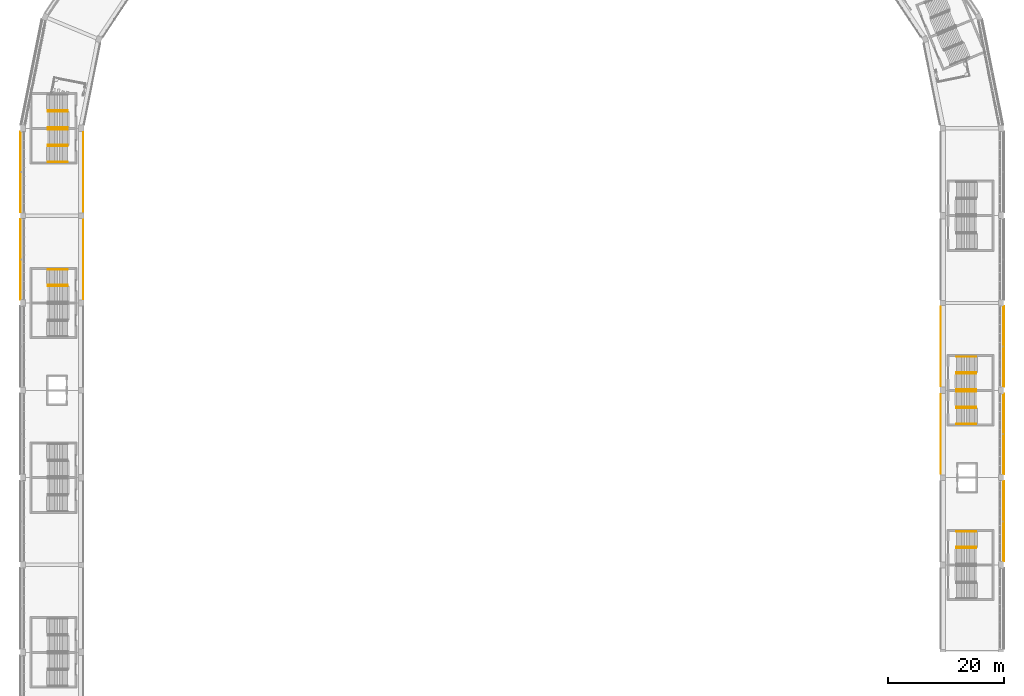
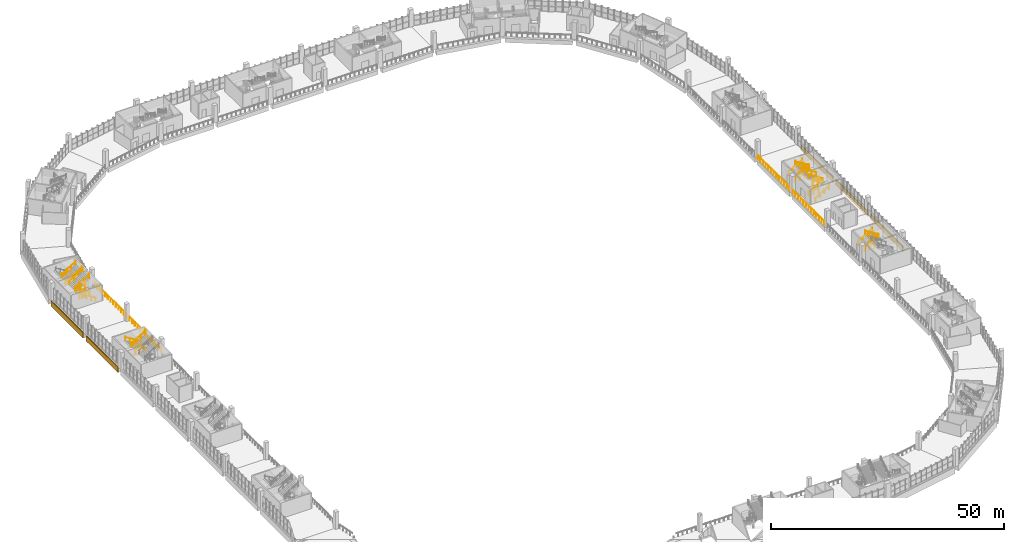
# One storey, part 168 of 177: 37 railings, 5 coverings.
"""IFC4 building model written with IfcOpenShell, lengths in metres."""

from ifc_helpers import new_model, si_unit, direction, frame, origin, origin_2d, place, context, subcontext, project, spatial, polyline, circle, outline, extrude, material, layer, layer_set, type_object, element, save


model = new_model("IFC4")

# Units and contexts
model_context = context("Model", 3, precision=1e-05, world=origin(), true_north=direction((0.0, 1.0)))
body_context = subcontext(model_context, "Body", "Model", "MODEL_VIEW")
ifc_project = project(units=[si_unit("LENGTHUNIT", "METRE"), si_unit("AREAUNIT", "SQUARE_METRE"), si_unit("VOLUMEUNIT", "CUBIC_METRE"), si_unit("PLANEANGLEUNIT", "RADIAN"), si_unit("MASSUNIT", "GRAM", prefix="KILO")], contexts=[model_context])

# Site, building, storey
site_placement = place(None, origin())
site = spatial("IfcSite", under=ifc_project, at=site_placement, CompositionType="ELEMENT")
building_placement = place(site_placement, origin())
building = spatial("IfcBuilding", under=site, at=building_placement, Name="Ogive Plaza Stadium", CompositionType="ELEMENT")
storey_placement = place(building_placement, frame((0.0, 0.0, 18.0)))
storey = spatial("IfcBuildingStorey", under=building, at=storey_placement, Name="L04", CompositionType="ELEMENT", Elevation=18.0)

# Railings
ifc_material_1 = material(Name="Steel ASTM A572 Grade 50", Category="steel")
railing_type_1 = type_object("IfcRailingType", Name="Guard 1100", PredefinedType="GUARDRAIL", material=ifc_material_1)
for number, where, name in (
    (1, (76.35009765625, 4.52490234375, 0.0), "Stair well guard ST04A L04"),
    (2, (77.31005859375, 4.52490234375, 2.25), "Stair well guard ST04A L04"),
    (3, (76.35009765625, 10.47509765625, 0.0), "Stair well guard ST04B L04"),
    (4, (77.31005859375, 10.47509765625, 2.25), "Stair well guard ST04B L04"),
    (5, (76.35009765625, -19.52490234375, 0.0), "Stair well guard ST06B L04"),
    (6, (77.31005859375, -19.52490234375, 2.25), "Stair well guard ST06B L04"),
):
    element("IfcRailing", number, at=place(storey_placement, frame(where)), inside=storey, type_object=railing_type_1, Name=name, PredefinedType="GUARDRAIL", context=body_context, shape_type="SweptSolid", body=[
        extrude(circle(Radius=0.02392578125, at=origin_2d()), frame((0.0, 0.0, 1.076171875), z_axis=(1.0, 0.0, 0.0), x_axis=(0.0, 1.0, 0.0)), (0.0, 0.0, 1.0), 2.39990234375),
        extrude(circle(Radius=0.02099609375, at=origin_2d()), origin(), (0.0, 0.0, 1.0), 1.052001953125),
        extrude(circle(Radius=0.02099609375, at=origin_2d()), frame((1.199951171875, 0.0, 0.0)), (0.0, 0.0, 1.0), 1.052001953125),
        extrude(circle(Radius=0.02099609375, at=origin_2d()), frame((2.39990234375, 0.0, 0.0)), (0.0, 0.0, 1.0), 1.052001953125),
    ])
for number, where, name in (
    (7, (-76.35009765625, 25.47509765625, 0.0), "Stair well guard ST26A L04"),
    (8, (-77.31005859375, 25.47509765625, 2.25), "Stair well guard ST26A L04"),
    (9, (-76.35009765625, 55.47509765625, 0.0), "Stair well guard ST28A L04"),
    (10, (-77.31005859375, 55.47509765625, 2.25), "Stair well guard ST28A L04"),
    (11, (-76.35009765625, 49.52490234375, 0.0), "Stair well guard ST28B L04"),
    (12, (-77.31005859375, 49.52490234375, 2.25), "Stair well guard ST28B L04"),
):
    element("IfcRailing", number, at=place(storey_placement, frame(where)), inside=storey, type_object=railing_type_1, Name=name, PredefinedType="GUARDRAIL", context=body_context, shape_type="SweptSolid", body=[
        extrude(circle(Radius=0.02392578125, at=origin_2d()), frame((0.0, 0.0, 1.076171875), z_axis=(-1.0, 0.0, 0.0), x_axis=(0.0, -1.0, 0.0)), (0.0, 0.0, 1.0), 2.39990234375),
        extrude(circle(Radius=0.02099609375, at=origin_2d()), origin(), (0.0, 0.0, 1.0), 1.052001953125),
        extrude(circle(Radius=0.02099609375, at=origin_2d()), frame((-1.199951171875, 0.0, 0.0)), (0.0, 0.0, 1.0), 1.052001953125),
        extrude(circle(Radius=0.02099609375, at=origin_2d()), frame((-2.39990234375, 0.0, 0.0)), (0.0, 0.0, 1.0), 1.052001953125),
    ])
railing_1_placement = place(storey_placement, frame((73.64990234375, 21.800048828125, 0.0)))
element("IfcRailing", 13, at=railing_1_placement, inside=storey, type_object=railing_type_1, Name="Guard L04 B03", PredefinedType="GUARDRAIL", context=body_context, shape_type="SweptSolid", body=[
    extrude(circle(Radius=0.02392578125, at=origin_2d()), frame((0.0, 0.0, 1.076171875), z_axis=(0.0, -1.0, 0.0), x_axis=(1.0, 0.0, 0.0)), (0.0, 0.0, 1.0), 13.60009765625),
    extrude(circle(Radius=0.02099609375, at=origin_2d()), origin(), (0.0, 0.0, 1.0), 1.052001953125),
    extrude(circle(Radius=0.02099609375, at=origin_2d()), frame((0.0, -1.13330078125, 0.0)), (0.0, 0.0, 1.0), 1.052001953125),
    extrude(circle(Radius=0.02099609375, at=origin_2d()), frame((0.0, -2.2666015625, 0.0)), (0.0, 0.0, 1.0), 1.052001953125),
    extrude(circle(Radius=0.02099609375, at=origin_2d()), frame((0.0, -3.39990234375, 0.0)), (0.0, 0.0, 1.0), 1.052001953125),
    extrude(circle(Radius=0.02099609375, at=origin_2d()), frame((0.0, -4.533447265625, 0.0)), (0.0, 0.0, 1.0), 1.052001953125),
    extrude(circle(Radius=0.02099609375, at=origin_2d()), frame((0.0, -5.666748046875, 0.0)), (0.0, 0.0, 1.0), 1.052001953125),
    extrude(circle(Radius=0.02099609375, at=origin_2d()), frame((0.0, -6.800048828125, 0.0)), (0.0, 0.0, 1.0), 1.052001953125),
    extrude(circle(Radius=0.02099609375, at=origin_2d()), frame((0.0, -7.933349609375, 0.0)), (0.0, 0.0, 1.0), 1.052001953125),
    extrude(circle(Radius=0.02099609375, at=origin_2d()), frame((0.0, -9.066650390625, 0.0)), (0.0, 0.0, 1.0), 1.052001953125),
    extrude(circle(Radius=0.02099609375, at=origin_2d()), frame((0.0, -10.2001953125, 0.0)), (0.0, 0.0, 1.0), 1.052001953125),
    extrude(circle(Radius=0.02099609375, at=origin_2d()), frame((0.0, -11.33349609375, 0.0)), (0.0, 0.0, 1.0), 1.052001953125),
    extrude(circle(Radius=0.02099609375, at=origin_2d()), frame((0.0, -12.466796875, 0.0)), (0.0, 0.0, 1.0), 1.052001953125),
    extrude(circle(Radius=0.02099609375, at=origin_2d()), frame((0.0, -13.60009765625, 0.0)), (0.0, 0.0, 1.0), 1.052001953125),
])
railing_2_placement = place(storey_placement, frame((73.64990234375, 6.800048828125, 0.0)))
element("IfcRailing", 14, at=railing_2_placement, inside=storey, type_object=railing_type_1, Name="Guard L04 B04", PredefinedType="GUARDRAIL", context=body_context, shape_type="SweptSolid", body=[
    extrude(circle(Radius=0.02392578125, at=origin_2d()), frame((0.0, 0.0, 1.076171875), z_axis=(0.0, -1.0, 0.0), x_axis=(1.0, 0.0, 0.0)), (0.0, 0.0, 1.0), 13.60009765625),
    extrude(circle(Radius=0.02099609375, at=origin_2d()), origin(), (0.0, 0.0, 1.0), 1.052001953125),
    extrude(circle(Radius=0.02099609375, at=origin_2d()), frame((0.0, -1.13330078125, 0.0)), (0.0, 0.0, 1.0), 1.052001953125),
    extrude(circle(Radius=0.02099609375, at=origin_2d()), frame((0.0, -2.2666015625, 0.0)), (0.0, 0.0, 1.0), 1.052001953125),
    extrude(circle(Radius=0.02099609375, at=origin_2d()), frame((0.0, -3.39990234375, 0.0)), (0.0, 0.0, 1.0), 1.052001953125),
    extrude(circle(Radius=0.02099609375, at=origin_2d()), frame((0.0, -4.533447265625, 0.0)), (0.0, 0.0, 1.0), 1.052001953125),
    extrude(circle(Radius=0.02099609375, at=origin_2d()), frame((0.0, -5.666748046875, 0.0)), (0.0, 0.0, 1.0), 1.052001953125),
    extrude(circle(Radius=0.02099609375, at=origin_2d()), frame((0.0, -6.800048828125, 0.0)), (0.0, 0.0, 1.0), 1.052001953125),
    extrude(circle(Radius=0.02099609375, at=origin_2d()), frame((0.0, -7.933349609375, 0.0)), (0.0, 0.0, 1.0), 1.052001953125),
    extrude(circle(Radius=0.02099609375, at=origin_2d()), frame((0.0, -9.066650390625, 0.0)), (0.0, 0.0, 1.0), 1.052001953125),
    extrude(circle(Radius=0.02099609375, at=origin_2d()), frame((0.0, -10.2001953125, 0.0)), (0.0, 0.0, 1.0), 1.052001953125),
    extrude(circle(Radius=0.02099609375, at=origin_2d()), frame((0.0, -11.33349609375, 0.0)), (0.0, 0.0, 1.0), 1.052001953125),
    extrude(circle(Radius=0.02099609375, at=origin_2d()), frame((0.0, -12.466796875, 0.0)), (0.0, 0.0, 1.0), 1.052001953125),
    extrude(circle(Radius=0.02099609375, at=origin_2d()), frame((0.0, -13.60009765625, 0.0)), (0.0, 0.0, 1.0), 1.052001953125),
])
railing_3_placement = place(storey_placement, frame((-73.64990234375, 23.199951171875, 0.0)))
element("IfcRailing", 15, at=railing_3_placement, inside=storey, type_object=railing_type_1, Name="Guard L04 B26", PredefinedType="GUARDRAIL", context=body_context, shape_type="SweptSolid", body=[
    extrude(circle(Radius=0.02392578125, at=origin_2d()), frame((0.0, 0.0, 1.076171875), z_axis=(0.0, 1.0, 0.0), x_axis=(-1.0, 0.0, 0.0)), (0.0, 0.0, 1.0), 13.60009765625),
    extrude(circle(Radius=0.02099609375, at=origin_2d()), origin(), (0.0, 0.0, 1.0), 1.052001953125),
    extrude(circle(Radius=0.02099609375, at=origin_2d()), frame((0.0, 1.13330078125, 0.0)), (0.0, 0.0, 1.0), 1.052001953125),
    extrude(circle(Radius=0.02099609375, at=origin_2d()), frame((0.0, 2.2666015625, 0.0)), (0.0, 0.0, 1.0), 1.052001953125),
    extrude(circle(Radius=0.02099609375, at=origin_2d()), frame((0.0, 3.39990234375, 0.0)), (0.0, 0.0, 1.0), 1.052001953125),
    extrude(circle(Radius=0.02099609375, at=origin_2d()), frame((0.0, 4.533447265625, 0.0)), (0.0, 0.0, 1.0), 1.052001953125),
    extrude(circle(Radius=0.02099609375, at=origin_2d()), frame((0.0, 5.666748046875, 0.0)), (0.0, 0.0, 1.0), 1.052001953125),
    extrude(circle(Radius=0.02099609375, at=origin_2d()), frame((0.0, 6.800048828125, 0.0)), (0.0, 0.0, 1.0), 1.052001953125),
    extrude(circle(Radius=0.02099609375, at=origin_2d()), frame((0.0, 7.933349609375, 0.0)), (0.0, 0.0, 1.0), 1.052001953125),
    extrude(circle(Radius=0.02099609375, at=origin_2d()), frame((0.0, 9.066650390625, 0.0)), (0.0, 0.0, 1.0), 1.052001953125),
    extrude(circle(Radius=0.02099609375, at=origin_2d()), frame((0.0, 10.2001953125, 0.0)), (0.0, 0.0, 1.0), 1.052001953125),
    extrude(circle(Radius=0.02099609375, at=origin_2d()), frame((0.0, 11.33349609375, 0.0)), (0.0, 0.0, 1.0), 1.052001953125),
    extrude(circle(Radius=0.02099609375, at=origin_2d()), frame((0.0, 12.466796875, 0.0)), (0.0, 0.0, 1.0), 1.052001953125),
    extrude(circle(Radius=0.02099609375, at=origin_2d()), frame((0.0, 13.60009765625, 0.0)), (0.0, 0.0, 1.0), 1.052001953125),
])
railing_4_placement = place(storey_placement, frame((-73.64990234375, 38.199951171875, 0.0)))
element("IfcRailing", 16, at=railing_4_placement, inside=storey, type_object=railing_type_1, Name="Guard L04 B27", PredefinedType="GUARDRAIL", context=body_context, shape_type="SweptSolid", body=[
    extrude(circle(Radius=0.02392578125, at=origin_2d()), frame((0.0, 0.0, 1.076171875), z_axis=(0.0, 1.0, 0.0), x_axis=(-1.0, 0.0, 0.0)), (0.0, 0.0, 1.0), 13.60009765625),
    extrude(circle(Radius=0.02099609375, at=origin_2d()), origin(), (0.0, 0.0, 1.0), 1.052001953125),
    extrude(circle(Radius=0.02099609375, at=origin_2d()), frame((0.0, 1.13330078125, 0.0)), (0.0, 0.0, 1.0), 1.052001953125),
    extrude(circle(Radius=0.02099609375, at=origin_2d()), frame((0.0, 2.2666015625, 0.0)), (0.0, 0.0, 1.0), 1.052001953125),
    extrude(circle(Radius=0.02099609375, at=origin_2d()), frame((0.0, 3.39990234375, 0.0)), (0.0, 0.0, 1.0), 1.052001953125),
    extrude(circle(Radius=0.02099609375, at=origin_2d()), frame((0.0, 4.533447265625, 0.0)), (0.0, 0.0, 1.0), 1.052001953125),
    extrude(circle(Radius=0.02099609375, at=origin_2d()), frame((0.0, 5.666748046875, 0.0)), (0.0, 0.0, 1.0), 1.052001953125),
    extrude(circle(Radius=0.02099609375, at=origin_2d()), frame((0.0, 6.800048828125, 0.0)), (0.0, 0.0, 1.0), 1.052001953125),
    extrude(circle(Radius=0.02099609375, at=origin_2d()), frame((0.0, 7.933349609375, 0.0)), (0.0, 0.0, 1.0), 1.052001953125),
    extrude(circle(Radius=0.02099609375, at=origin_2d()), frame((0.0, 9.066650390625, 0.0)), (0.0, 0.0, 1.0), 1.052001953125),
    extrude(circle(Radius=0.02099609375, at=origin_2d()), frame((0.0, 10.2001953125, 0.0)), (0.0, 0.0, 1.0), 1.052001953125),
    extrude(circle(Radius=0.02099609375, at=origin_2d()), frame((0.0, 11.33349609375, 0.0)), (0.0, 0.0, 1.0), 1.052001953125),
    extrude(circle(Radius=0.02099609375, at=origin_2d()), frame((0.0, 12.466796875, 0.0)), (0.0, 0.0, 1.0), 1.052001953125),
    extrude(circle(Radius=0.02099609375, at=origin_2d()), frame((0.0, 13.60009765625, 0.0)), (0.0, 0.0, 1.0), 1.052001953125),
])
ifc_material_2 = material(Name="Steel ASTM A572 Grade 50", Category="steel")
railing_type_2 = type_object("IfcRailingType", Name="Handrail 900", PredefinedType="HANDRAIL", material=ifc_material_2)
for number, where, name in (
    (17, (76.35009765625, 1.735107421875, 0.173095703125), "Handrail ST04A L04"),
    (18, (76.35009765625, 4.4150390625, 0.173095703125), "Handrail ST04A L04"),
):
    element("IfcRailing", number, at=place(storey_placement, frame(where)), inside=storey, type_object=railing_type_2, Name=name, PredefinedType="HANDRAIL", context=body_context, shape_type="SweptSolid", body=[
        extrude(circle(Radius=0.02392578125, at=origin_2d()), frame((0.0, 0.0, 0.8759765625), z_axis=(0.850606129759, 0.0, 0.525803396734), x_axis=(0.0, 1.0, 0.0)), (0.0, 0.0, 1.0), 3.949951171875),
        extrude(circle(Radius=0.02099609375, at=origin_2d()), origin(), (0.0, 0.0, 1.0), 0.851806640625),
        extrude(circle(Radius=0.02099609375, at=origin_2d()), frame((1.119873046875, 0.0, 0.6923828125)), (0.0, 0.0, 1.0), 0.851806640625),
        extrude(circle(Radius=0.02099609375, at=origin_2d()), frame((2.239990234375, 0.0, 1.384521484375)), (0.0, 0.0, 1.0), 0.851806640625),
        extrude(circle(Radius=0.02099609375, at=origin_2d()), frame((3.35986328125, 0.0, 2.076904296875)), (0.0, 0.0, 1.0), 1.10009765625),
    ])
for number, where, name in (
    (19, (79.7099609375, 4.635009765625, 2.423095703125), "Handrail ST04A L04"),
    (20, (79.7099609375, 7.31494140625, 2.423095703125), "Handrail ST04A L04"),
):
    element("IfcRailing", number, at=place(storey_placement, frame(where)), inside=storey, type_object=railing_type_2, Name=name, PredefinedType="HANDRAIL", context=body_context, shape_type="SweptSolid", body=[
        extrude(circle(Radius=0.02392578125, at=origin_2d()), frame((0.0, 0.0, 0.8759765625), z_axis=(-0.850606129759, 0.0, 0.525803396734), x_axis=(0.0, -1.0, 0.0)), (0.0, 0.0, 1.0), 3.949951171875),
        extrude(circle(Radius=0.02099609375, at=origin_2d()), origin(), (0.0, 0.0, 1.0), 0.851806640625),
        extrude(circle(Radius=0.02099609375, at=origin_2d()), frame((-1.119873046875, 0.0, 0.6923828125)), (0.0, 0.0, 1.0), 0.851806640625),
        extrude(circle(Radius=0.02099609375, at=origin_2d()), frame((-2.239990234375, 0.0, 1.384521484375)), (0.0, 0.0, 1.0), 0.851806640625),
        extrude(circle(Radius=0.02099609375, at=origin_2d()), frame((-3.35986328125, 0.0, 2.076904296875)), (0.0, 0.0, 1.0), 1.10009765625),
    ])
for number, where, name in (
    (21, (76.35009765625, 10.5849609375, 0.173095703125), "Handrail ST04B L04"),
    (22, (76.35009765625, 13.264892578125, 0.173095703125), "Handrail ST04B L04"),
):
    element("IfcRailing", number, at=place(storey_placement, frame(where)), inside=storey, type_object=railing_type_2, Name=name, PredefinedType="HANDRAIL", context=body_context, shape_type="SweptSolid", body=[
        extrude(circle(Radius=0.02392578125, at=origin_2d()), frame((0.0, 0.0, 0.8759765625), z_axis=(0.850606129759, 0.0, 0.525803396734), x_axis=(0.0, 1.0, 0.0)), (0.0, 0.0, 1.0), 3.949951171875),
        extrude(circle(Radius=0.02099609375, at=origin_2d()), origin(), (0.0, 0.0, 1.0), 0.851806640625),
        extrude(circle(Radius=0.02099609375, at=origin_2d()), frame((1.119873046875, 0.0, 0.6923828125)), (0.0, 0.0, 1.0), 0.851806640625),
        extrude(circle(Radius=0.02099609375, at=origin_2d()), frame((2.239990234375, 0.0, 1.384521484375)), (0.0, 0.0, 1.0), 0.851806640625),
        extrude(circle(Radius=0.02099609375, at=origin_2d()), frame((3.35986328125, 0.0, 2.076904296875)), (0.0, 0.0, 1.0), 1.10009765625),
    ])
for number, where, name in (
    (23, (79.7099609375, 7.68505859375, 2.423095703125), "Handrail ST04B L04"),
    (24, (79.7099609375, 10.364990234375, 2.423095703125), "Handrail ST04B L04"),
):
    element("IfcRailing", number, at=place(storey_placement, frame(where)), inside=storey, type_object=railing_type_2, Name=name, PredefinedType="HANDRAIL", context=body_context, shape_type="SweptSolid", body=[
        extrude(circle(Radius=0.02392578125, at=origin_2d()), frame((0.0, 0.0, 0.8759765625), z_axis=(-0.850606129759, 0.0, 0.525803396734), x_axis=(0.0, -1.0, 0.0)), (0.0, 0.0, 1.0), 3.949951171875),
        extrude(circle(Radius=0.02099609375, at=origin_2d()), origin(), (0.0, 0.0, 1.0), 0.851806640625),
        extrude(circle(Radius=0.02099609375, at=origin_2d()), frame((-1.119873046875, 0.0, 0.6923828125)), (0.0, 0.0, 1.0), 0.851806640625),
        extrude(circle(Radius=0.02099609375, at=origin_2d()), frame((-2.239990234375, 0.0, 1.384521484375)), (0.0, 0.0, 1.0), 0.851806640625),
        extrude(circle(Radius=0.02099609375, at=origin_2d()), frame((-3.35986328125, 0.0, 2.076904296875)), (0.0, 0.0, 1.0), 1.10009765625),
    ])
for number, where, name in (
    (25, (76.35009765625, -19.4150390625, 0.173095703125), "Handrail ST06B L04"),
    (26, (76.35009765625, -16.735107421875, 0.173095703125), "Handrail ST06B L04"),
):
    element("IfcRailing", number, at=place(storey_placement, frame(where)), inside=storey, type_object=railing_type_2, Name=name, PredefinedType="HANDRAIL", context=body_context, shape_type="SweptSolid", body=[
        extrude(circle(Radius=0.02392578125, at=origin_2d()), frame((0.0, 0.0, 0.8759765625), z_axis=(0.850606129759, 0.0, 0.525803396734), x_axis=(0.0, 1.0, 0.0)), (0.0, 0.0, 1.0), 3.949951171875),
        extrude(circle(Radius=0.02099609375, at=origin_2d()), origin(), (0.0, 0.0, 1.0), 0.851806640625),
        extrude(circle(Radius=0.02099609375, at=origin_2d()), frame((1.119873046875, 0.0, 0.6923828125)), (0.0, 0.0, 1.0), 0.851806640625),
        extrude(circle(Radius=0.02099609375, at=origin_2d()), frame((2.239990234375, 0.0, 1.384521484375)), (0.0, 0.0, 1.0), 0.851806640625),
        extrude(circle(Radius=0.02099609375, at=origin_2d()), frame((3.35986328125, 0.0, 2.076904296875)), (0.0, 0.0, 1.0), 1.10009765625),
    ])
for number, where, name in (
    (27, (79.7099609375, -19.635009765625, 2.423095703125), "Handrail ST06B L04"),
    (28, (-76.35009765625, 28.264892578125, 0.173095703125), "Handrail ST26A L04"),
    (29, (-76.35009765625, 25.5849609375, 0.173095703125), "Handrail ST26A L04"),
):
    element("IfcRailing", number, at=place(storey_placement, frame(where)), inside=storey, type_object=railing_type_2, Name=name, PredefinedType="HANDRAIL", context=body_context, shape_type="SweptSolid", body=[
        extrude(circle(Radius=0.02392578125, at=origin_2d()), frame((0.0, 0.0, 0.8759765625), z_axis=(-0.850606129759, 0.0, 0.525803396734), x_axis=(0.0, -1.0, 0.0)), (0.0, 0.0, 1.0), 3.949951171875),
        extrude(circle(Radius=0.02099609375, at=origin_2d()), origin(), (0.0, 0.0, 1.0), 0.851806640625),
        extrude(circle(Radius=0.02099609375, at=origin_2d()), frame((-1.119873046875, 0.0, 0.6923828125)), (0.0, 0.0, 1.0), 0.851806640625),
        extrude(circle(Radius=0.02099609375, at=origin_2d()), frame((-2.239990234375, 0.0, 1.384521484375)), (0.0, 0.0, 1.0), 0.851806640625),
        extrude(circle(Radius=0.02099609375, at=origin_2d()), frame((-3.35986328125, 0.0, 2.076904296875)), (0.0, 0.0, 1.0), 1.10009765625),
    ])
railing_5_placement = place(storey_placement, frame((-79.7099609375, 25.364990234375, 2.423095703125)))
element("IfcRailing", 30, at=railing_5_placement, inside=storey, type_object=railing_type_2, Name="Handrail ST26A L04", PredefinedType="HANDRAIL", context=body_context, shape_type="SweptSolid", body=[
    extrude(circle(Radius=0.02392578125, at=origin_2d()), frame((0.0, 0.0, 0.8759765625), z_axis=(0.850606129759, 0.0, 0.525803396734), x_axis=(0.0, 1.0, 0.0)), (0.0, 0.0, 1.0), 3.949951171875),
    extrude(circle(Radius=0.02099609375, at=origin_2d()), origin(), (0.0, 0.0, 1.0), 0.851806640625),
    extrude(circle(Radius=0.02099609375, at=origin_2d()), frame((1.119873046875, 0.0, 0.6923828125)), (0.0, 0.0, 1.0), 0.851806640625),
    extrude(circle(Radius=0.02099609375, at=origin_2d()), frame((2.239990234375, 0.0, 1.384521484375)), (0.0, 0.0, 1.0), 0.851806640625),
    extrude(circle(Radius=0.02099609375, at=origin_2d()), frame((3.35986328125, 0.0, 2.076904296875)), (0.0, 0.0, 1.0), 1.10009765625),
])
railing_6_placement = place(storey_placement, frame((-76.35009765625, 55.5849609375, 0.173095703125)))
element("IfcRailing", 31, at=railing_6_placement, inside=storey, type_object=railing_type_2, Name="Handrail ST28A L04", PredefinedType="HANDRAIL", context=body_context, shape_type="SweptSolid", body=[
    extrude(circle(Radius=0.02392578125, at=origin_2d()), frame((0.0, 0.0, 0.8759765625), z_axis=(-0.850606129759, 0.0, 0.525803396734), x_axis=(0.0, -1.0, 0.0)), (0.0, 0.0, 1.0), 3.949951171875),
    extrude(circle(Radius=0.02099609375, at=origin_2d()), origin(), (0.0, 0.0, 1.0), 0.851806640625),
    extrude(circle(Radius=0.02099609375, at=origin_2d()), frame((-1.119873046875, 0.0, 0.6923828125)), (0.0, 0.0, 1.0), 0.851806640625),
    extrude(circle(Radius=0.02099609375, at=origin_2d()), frame((-2.239990234375, 0.0, 1.384521484375)), (0.0, 0.0, 1.0), 0.851806640625),
    extrude(circle(Radius=0.02099609375, at=origin_2d()), frame((-3.35986328125, 0.0, 2.076904296875)), (0.0, 0.0, 1.0), 1.10009765625),
])
for number, where, name in (
    (32, (-79.7099609375, 55.364990234375, 2.423095703125), "Handrail ST28A L04"),
    (33, (-79.7099609375, 52.68505859375, 2.423095703125), "Handrail ST28A L04"),
):
    element("IfcRailing", number, at=place(storey_placement, frame(where)), inside=storey, type_object=railing_type_2, Name=name, PredefinedType="HANDRAIL", context=body_context, shape_type="SweptSolid", body=[
        extrude(circle(Radius=0.02392578125, at=origin_2d()), frame((0.0, 0.0, 0.8759765625), z_axis=(0.850606129759, 0.0, 0.525803396734), x_axis=(0.0, 1.0, 0.0)), (0.0, 0.0, 1.0), 3.949951171875),
        extrude(circle(Radius=0.02099609375, at=origin_2d()), origin(), (0.0, 0.0, 1.0), 0.851806640625),
        extrude(circle(Radius=0.02099609375, at=origin_2d()), frame((1.119873046875, 0.0, 0.6923828125)), (0.0, 0.0, 1.0), 0.851806640625),
        extrude(circle(Radius=0.02099609375, at=origin_2d()), frame((2.239990234375, 0.0, 1.384521484375)), (0.0, 0.0, 1.0), 0.851806640625),
        extrude(circle(Radius=0.02099609375, at=origin_2d()), frame((3.35986328125, 0.0, 2.076904296875)), (0.0, 0.0, 1.0), 1.10009765625),
    ])
for number, where, name in (
    (34, (-76.35009765625, 49.4150390625, 0.173095703125), "Handrail ST28B L04"),
    (35, (-76.35009765625, 46.735107421875, 0.173095703125), "Handrail ST28B L04"),
):
    element("IfcRailing", number, at=place(storey_placement, frame(where)), inside=storey, type_object=railing_type_2, Name=name, PredefinedType="HANDRAIL", context=body_context, shape_type="SweptSolid", body=[
        extrude(circle(Radius=0.02392578125, at=origin_2d()), frame((0.0, 0.0, 0.8759765625), z_axis=(-0.850606129759, 0.0, 0.525803396734), x_axis=(0.0, -1.0, 0.0)), (0.0, 0.0, 1.0), 3.949951171875),
        extrude(circle(Radius=0.02099609375, at=origin_2d()), origin(), (0.0, 0.0, 1.0), 0.851806640625),
        extrude(circle(Radius=0.02099609375, at=origin_2d()), frame((-1.119873046875, 0.0, 0.6923828125)), (0.0, 0.0, 1.0), 0.851806640625),
        extrude(circle(Radius=0.02099609375, at=origin_2d()), frame((-2.239990234375, 0.0, 1.384521484375)), (0.0, 0.0, 1.0), 0.851806640625),
        extrude(circle(Radius=0.02099609375, at=origin_2d()), frame((-3.35986328125, 0.0, 2.076904296875)), (0.0, 0.0, 1.0), 1.10009765625),
    ])
for number, where, name in (
    (36, (-79.7099609375, 52.31494140625, 2.423095703125), "Handrail ST28B L04"),
    (37, (-79.7099609375, 49.635009765625, 2.423095703125), "Handrail ST28B L04"),
):
    element("IfcRailing", number, at=place(storey_placement, frame(where)), inside=storey, type_object=railing_type_2, Name=name, PredefinedType="HANDRAIL", context=body_context, shape_type="SweptSolid", body=[
        extrude(circle(Radius=0.02392578125, at=origin_2d()), frame((0.0, 0.0, 0.8759765625), z_axis=(0.850606129759, 0.0, 0.525803396734), x_axis=(0.0, 1.0, 0.0)), (0.0, 0.0, 1.0), 3.949951171875),
        extrude(circle(Radius=0.02099609375, at=origin_2d()), origin(), (0.0, 0.0, 1.0), 0.851806640625),
        extrude(circle(Radius=0.02099609375, at=origin_2d()), frame((1.119873046875, 0.0, 0.6923828125)), (0.0, 0.0, 1.0), 0.851806640625),
        extrude(circle(Radius=0.02099609375, at=origin_2d()), frame((2.239990234375, 0.0, 1.384521484375)), (0.0, 0.0, 1.0), 0.851806640625),
        extrude(circle(Radius=0.02099609375, at=origin_2d()), frame((3.35986328125, 0.0, 2.076904296875)), (0.0, 0.0, 1.0), 1.10009765625),
    ])

# Coverings
ifc_material_3 = material(Name="Cast stone (reconstituted limestone)", Category="masonry")
ifc_layer = layer(ifc_material_3, 0.159912109375)
ifc_layer_set = layer_set([ifc_layer], Name="Precast spandrel cladding 160")
covering_type = type_object("IfcCoveringType", Name="Precast spandrel cladding 160", PredefinedType="CLADDING", material=ifc_layer_set)
covering_1_placement = place(storey_placement, frame((0.0, 0.0, -1.409912109375)))
element("IfcCovering", 38, at=covering_1_placement, inside=storey, type_object=covering_type, Name="SPANDREL CLADDING B03 L04", PredefinedType="CLADDING", context=body_context, shape_type="SweptSolid", body=[
    extrude(outline(polyline([(84.35009765625, 21.89990234375), (84.35009765625, 8.10009765625), (84.510009765625, 8.10009765625), (84.510009765625, 21.89990234375), (84.35009765625, 21.89990234375)])), origin(), (0.0, 0.0, 1.0), 1.409912109375),
])
covering_2_placement = place(storey_placement, frame((0.0, 0.0, -1.409912109375)))
element("IfcCovering", 39, at=covering_2_placement, inside=storey, type_object=covering_type, Name="SPANDREL CLADDING B04 L04", PredefinedType="CLADDING", context=body_context, shape_type="SweptSolid", body=[
    extrude(outline(polyline([(84.35009765625, 6.89990234375), (84.35009765625, -6.89990234375), (84.510009765625, -6.89990234375), (84.510009765625, 6.89990234375), (84.35009765625, 6.89990234375)])), origin(), (0.0, 0.0, 1.0), 1.409912109375),
])
covering_3_placement = place(storey_placement, frame((0.0, 0.0, -1.409912109375)))
element("IfcCovering", 40, at=covering_3_placement, inside=storey, type_object=covering_type, Name="SPANDREL CLADDING B05 L04", PredefinedType="CLADDING", context=body_context, shape_type="SweptSolid", body=[
    extrude(outline(polyline([(84.35009765625, -8.10009765625), (84.35009765625, -21.89990234375), (84.510009765625, -21.89990234375), (84.510009765625, -8.10009765625), (84.35009765625, -8.10009765625)])), origin(), (0.0, 0.0, 1.0), 1.409912109375),
])
covering_4_placement = place(storey_placement, frame((0.0, 0.0, -1.409912109375)))
element("IfcCovering", 41, at=covering_4_placement, inside=storey, type_object=covering_type, Name="SPANDREL CLADDING B26 L04", PredefinedType="CLADDING", context=body_context, shape_type="SweptSolid", body=[
    extrude(outline(polyline([(-84.35009765625, 23.10009765625), (-84.35009765625, 36.89990234375), (-84.510009765625, 36.89990234375), (-84.510009765625, 23.10009765625), (-84.35009765625, 23.10009765625)])), origin(), (0.0, 0.0, 1.0), 1.409912109375),
])
covering_5_placement = place(storey_placement, frame((0.0, 0.0, -1.409912109375)))
element("IfcCovering", 42, at=covering_5_placement, inside=storey, type_object=covering_type, Name="SPANDREL CLADDING B27 L04", PredefinedType="CLADDING", context=body_context, shape_type="SweptSolid", body=[
    extrude(outline(polyline([(-84.35009765625, 38.10009765625), (-84.35009765625, 51.89990234375), (-84.510009765625, 51.89990234375), (-84.510009765625, 38.10009765625), (-84.35009765625, 38.10009765625)])), origin(), (0.0, 0.0, 1.0), 1.409912109375),
])

save(model, "model.ifc")
